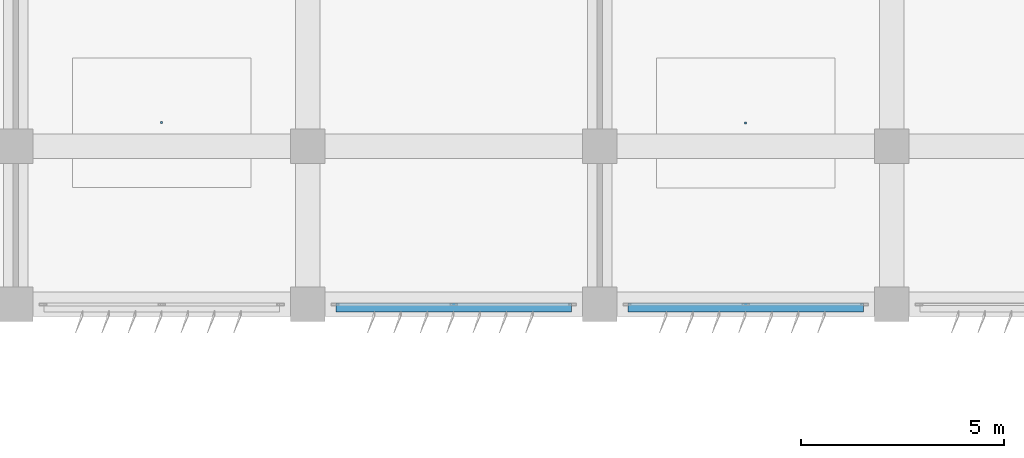
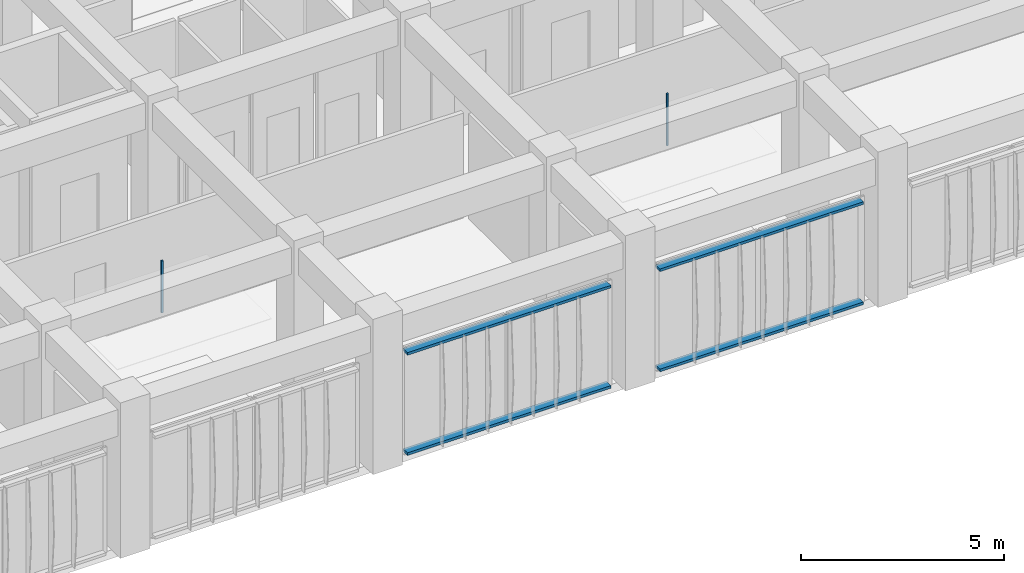
# One storey, part 38 of 55: 6 discrete accessories.
"""IFC4 building model written with IfcOpenShell, lengths in metres."""

from ifc_helpers import new_model, si_unit, direction, frame, origin, origin_2d, place, context, subcontext, project, spatial, rectangle, extrude, material, type_object, element, save


model = new_model("IFC4")

# Units and contexts
model_context = context("Model", 3, precision=1e-05, world=origin(), true_north=direction((0.0, 1.0)))
body_context = subcontext(model_context, "Body", "Model", "MODEL_VIEW")
ifc_project = project(units=[si_unit("LENGTHUNIT", "METRE"), si_unit("AREAUNIT", "SQUARE_METRE"), si_unit("VOLUMEUNIT", "CUBIC_METRE"), si_unit("PLANEANGLEUNIT", "RADIAN"), si_unit("MASSUNIT", "GRAM", prefix="KILO")], contexts=[model_context])

# Site, building, storey
site_placement = place(None, origin())
site = spatial("IfcSite", under=ifc_project, at=site_placement, CompositionType="ELEMENT")
building_placement = place(site_placement, origin())
building = spatial("IfcBuilding", under=site, at=building_placement, Name="Kazehaya Institute of Natural Sciences", CompositionType="ELEMENT")
storey_placement = place(building_placement, frame((0.0, 0.0, 15.1201171875)))
storey = spatial("IfcBuildingStorey", under=building, at=storey_placement, Name="L03", CompositionType="ELEMENT", Elevation=15.1201171875)

# Discrete accessories
ifc_material_1 = material(Name="Aluminium alloy A6063S-T5", Category="aluminium")
discrete_accessory_type_1 = type_object("IfcDiscreteAccessoryType", Name="ACC-BRK-01", PredefinedType="BRACKET", material=ifc_material_1)
for number, where, z_axis, x_axis, name in (
    (1, (94.199951171875, 10.02490234375, 0.039794921875), (0.0, 0.0, 1.0), (-1.0, 0.0, 0.0), "L03 fin support outrigger rail 1"),
    (2, (94.199951171875, 10.02490234375, 3.059814453125), (0.0, 0.0, 1.0), (-1.0, 0.0, 0.0), "L03 fin support outrigger rail 2"),
    (3, (87.0, 10.02490234375, 0.039794921875), (0.0, 0.0, 1.0), (-1.0, 0.0, 0.0), "L03 fin support outrigger rail 1"),
    (4, (87.0, 10.02490234375, 3.059814453125), (0.0, 0.0, 1.0), (-1.0, 0.0, 0.0), "L03 fin support outrigger rail 2"),
):
    element("IfcDiscreteAccessory", number, at=place(storey_placement, frame(where, z_axis=z_axis, x_axis=x_axis)), inside=storey, type_object=discrete_accessory_type_1, Name=name, PredefinedType="BRACKET", context=body_context, shape_type="SweptSolid", body=[
        extrude(rectangle(XDim=5.800048828125, YDim=0.219970703125, at=origin_2d()), origin(), (0.0, 0.0, 1.0), 0.080078125),
    ])
ifc_material_2 = material(Name="Structural steel SN490B", Category="steel")
discrete_accessory_type_2 = type_object("IfcDiscreteAccessoryType", Name="ACC-CLG-HGR", PredefinedType="BRACKET", material=ifc_material_2)
for number, where, z_axis, x_axis, name in (
    (5, (79.79443359375, 14.58056640625, 3.032470703125), (0.0, 0.0, 1.0), (1.0, 0.0, 0.0), "L03 ceiling suspension hanger 33"),
    (6, (94.1953125, 14.5703125, 3.032470703125), (0.0, 0.0, 1.0), (1.0, 0.0, 0.0), "L03 ceiling suspension hanger 34"),
):
    element("IfcDiscreteAccessory", number, at=place(storey_placement, frame(where, z_axis=z_axis, x_axis=x_axis)), inside=storey, type_object=discrete_accessory_type_2, Name=name, PredefinedType="BRACKET", context=body_context, shape_type="SweptSolid", body=[
        extrude(rectangle(XDim=0.050048828125, YDim=0.050048828125, at=origin_2d()), origin(), (0.0, 0.0, 1.0), 1.5673828125),
    ])

save(model, "model.ifc")
